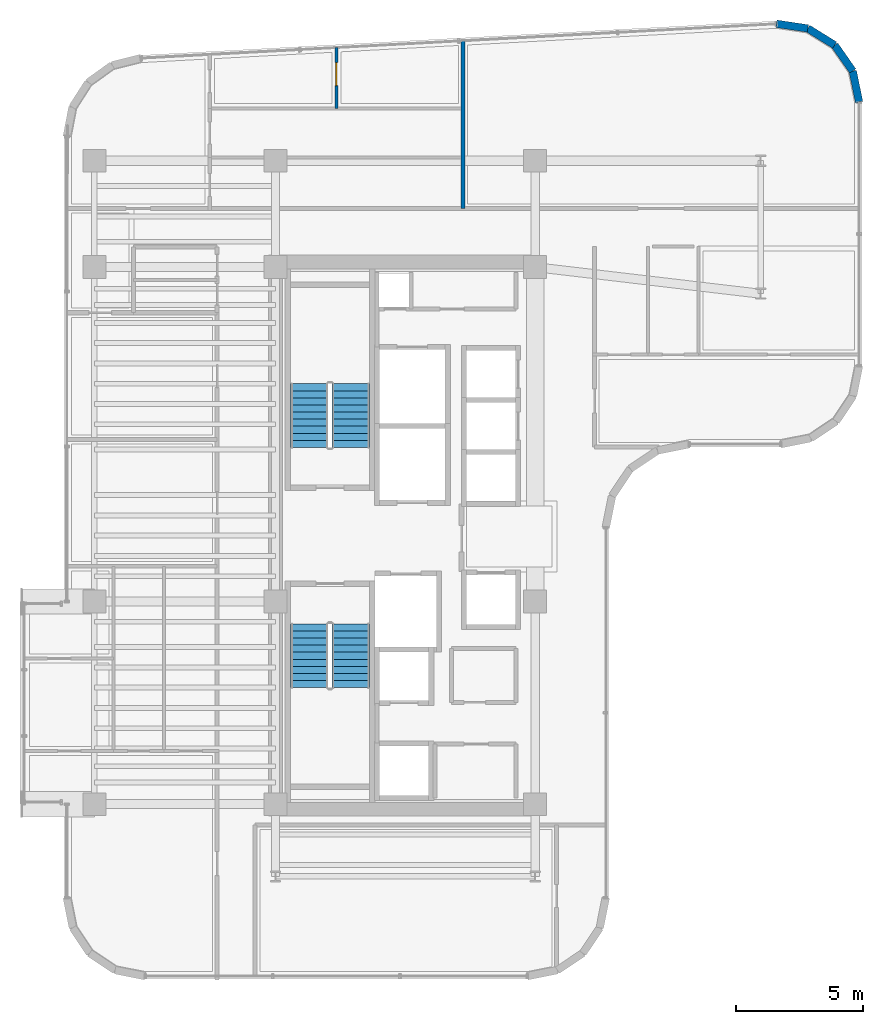
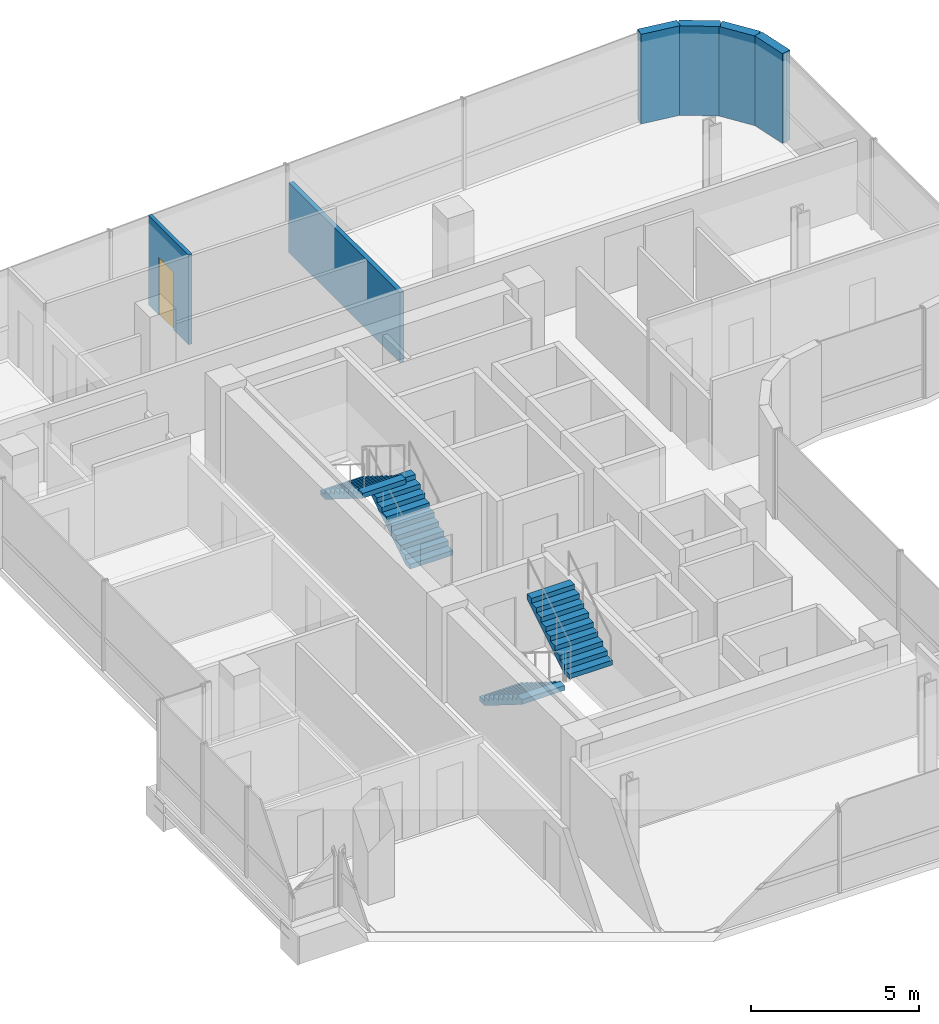
# One storey, part 21 of 24: 6 walls, 4 stair flights, 1 door, 1 opening, 2 elements without a shape of their own.
"""IFC4 building model written with IfcOpenShell, lengths in metres."""

import ifcopenshell
import ifcopenshell.guid

model = None  # the IFC model being written
_history = None  # IfcOwnerHistory: only IFC2X3 demands one
_inside = {}  # id of a spatial element -> (the spatial element, [elements in it])
_under = {}  # id of a project, library or spatial element -> (it, [spatial elements below it])
_declared = {}  # id of a project -> (the project, [libraries it declares])
_typed = {}  # id of a type object -> (the type object, [elements of that type])
_made_of = {}  # id of a material, layer set ... -> (it, [elements and type objects made of it])


def new_model(schema):
    """Start an empty IFC model of exactly this schema.

    Asked for "IFC4X3", IfcOpenShell would pick the latest addendum, in which some entities
    have other attributes; the version numbers below select the first issue.
    IFC2X3 requires an IfcOwnerHistory on every rooted entity: one is made here for all.
    """
    global model, _history
    if schema == "IFC4X3":
        model = ifcopenshell.file(schema_version=(4, 3, 0, 0))
    else:
        model = ifcopenshell.file(schema=schema)
    _inside.clear()
    _under.clear()
    _declared.clear()
    _typed.clear()
    _made_of.clear()
    _history = None
    if model.schema == "IFC2X3":
        org = make("IfcOrganization", Name="unknown")
        user = make(
            "IfcPersonAndOrganization",
            ThePerson=make("IfcPerson", FamilyName="unknown"),
            TheOrganization=org,
        )
        app = make(
            "IfcApplication",
            ApplicationDeveloper=org,
            Version="unknown",
            ApplicationFullName="unknown",
            ApplicationIdentifier="unknown",
        )
        _history = make(
            "IfcOwnerHistory",
            OwningUser=user,
            OwningApplication=app,
            ChangeAction="ADDED",
            CreationDate=0,
        )
    return model


def make(cls, **values):
    """One entity of the class cls with the attributes given. An attribute that is None is left unset."""
    return model.create_entity(
        cls, **{name: value for name, value in values.items() if value is not None}
    )


def rooted(cls, **values):
    """An entity with a GlobalId (a new one), such as an element, a storey or a relation."""
    return make(cls, GlobalId=ifcopenshell.guid.new(), OwnerHistory=_history, **values)


def si_unit(unit_type, name, prefix=None):
    """IfcSIUnit, for example si_unit("LENGTHUNIT", "METRE", prefix="MILLI")."""
    return make("IfcSIUnit", UnitType=unit_type, Prefix=prefix, Name=name)


def assignment(units):
    """IfcUnitAssignment: the units of a project."""
    return None if units is None else make("IfcUnitAssignment", Units=units)


def point(xyz):
    """IfcCartesianPoint."""
    return None if xyz is None else make("IfcCartesianPoint", Coordinates=xyz)


def direction(xyz):
    """IfcDirection."""
    return None if xyz is None else make("IfcDirection", DirectionRatios=xyz)


def frame(location, z_axis=None, x_axis=None):
    """IfcAxis2Placement3D, a coordinate frame: its origin and axes. An axis left out is left unset."""
    return make(
        "IfcAxis2Placement3D",
        Location=point(location),
        Axis=direction(z_axis),
        RefDirection=direction(x_axis),
    )


def frame_2d(location, x_axis=None):
    """IfcAxis2Placement2D, a coordinate frame in the plane: its origin and x axis."""
    return make(
        "IfcAxis2Placement2D", Location=point(location), RefDirection=direction(x_axis)
    )


def origin():
    """The frame at (0, 0, 0) with its axes left unset."""
    return frame((0.0, 0.0, 0.0))


def place(relative_to, where):
    """IfcLocalPlacement: puts the frame where relative to a parent placement (None: the world)."""
    return make(
        "IfcLocalPlacement", PlacementRelTo=relative_to, RelativePlacement=where
    )


def context(
    kind, dimensions, precision=None, world=None, true_north=None, identifier=None
):
    """IfcGeometricRepresentationContext, for example the 3D "Model" context."""
    return make(
        "IfcGeometricRepresentationContext",
        ContextIdentifier=identifier,
        ContextType=kind,
        CoordinateSpaceDimension=dimensions,
        Precision=precision,
        WorldCoordinateSystem=world,
        TrueNorth=true_north,
    )


def subcontext(parent, identifier, kind, view, scale=None):
    """IfcGeometricRepresentationSubContext, for example "Body" below "Model"."""
    return make(
        "IfcGeometricRepresentationSubContext",
        ContextIdentifier=identifier,
        ContextType=kind,
        ParentContext=parent,
        TargetScale=scale,
        TargetView=view,
    )


def project(units=None, contexts=None):
    """IfcProject with its units and contexts."""
    return rooted(
        "IfcProject",
        Name="project",
        RepresentationContexts=contexts,
        UnitsInContext=assignment(units),
    )


def spatial(cls, under=None, at=None, **own):
    """A site, building, storey or space (cls), placed at a placement, below another one or the project."""
    s = rooted(cls, ObjectPlacement=at, **own)
    if under is not None:
        _under.setdefault(under.id(), (under, []))[1].append(s)
    return s


def polyline(points):
    """IfcPolyline through the points."""
    return make("IfcPolyline", Points=[point(p) for p in points])


def profile(cls, at=None, kind="AREA", **sizes):
    """A parametric profile (cls). Its sizes go by their IFC names, for example OverallWidth=200.0."""
    return make(cls, ProfileType=kind, Position=at, **sizes)


def rectangle(**sizes):
    """IfcRectangleProfileDef."""
    return profile("IfcRectangleProfileDef", **sizes)


def outline(outer, holes=None, kind="AREA"):
    """IfcArbitraryClosedProfileDef: a profile drawn as a closed curve; with holes, ...WithVoids."""
    if holes is None:
        return make("IfcArbitraryClosedProfileDef", ProfileType=kind, OuterCurve=outer)
    return make(
        "IfcArbitraryProfileDefWithVoids",
        ProfileType=kind,
        OuterCurve=outer,
        InnerCurves=holes,
    )


def extrude(swept, where, along, depth):
    """IfcExtrudedAreaSolid: the profile swept, set in the frame where, extruded along a direction by depth."""
    return make(
        "IfcExtrudedAreaSolid",
        SweptArea=swept,
        Position=where,
        ExtrudedDirection=direction(along),
        Depth=depth,
    )


def shape(context_of_items, identifier, shape_type, items):
    """IfcShapeRepresentation: the items that make up one representation, for example the "Body"."""
    return make(
        "IfcShapeRepresentation",
        ContextOfItems=context_of_items,
        RepresentationIdentifier=identifier,
        RepresentationType=shape_type,
        Items=items,
    )


def material(Name=None, Category=None):
    """IfcMaterial."""
    return make("IfcMaterial", Name=Name, Category=Category)


def layer(
    of_material, thickness, ventilated=None, Name=None, Category=None, Priority=None
):
    """IfcMaterialLayer: one layer of a wall or slab, of a material (None: an air gap)."""
    return make(
        "IfcMaterialLayer",
        Material=of_material,
        LayerThickness=thickness,
        IsVentilated=ventilated,
        Name=Name,
        Category=Category,
        Priority=Priority,
    )


def layer_set(layers, Name=None):
    """IfcMaterialLayerSet."""
    return make("IfcMaterialLayerSet", MaterialLayers=layers, LayerSetName=Name)


def made_of(thing, what):
    """Note that an element or type object is made of a material, layer set ...; save() writes the relation."""
    if what is not None:
        _made_of.setdefault(what.id(), (what, []))[1].append(thing)
    return thing


def type_object(cls, material=None, **own):
    """A type object (cls), such as IfcWallType, which elements share."""
    return made_of(rooted(cls, **own), material)


def element(
    cls,
    number,
    at=None,
    inside=None,
    cuts=None,
    type_object=None,
    material=None,
    context=None,
    identifier="Body",
    shape_type=None,
    held_by="IfcProductDefinitionShape",
    body=None,
    shapes=None,
    **own,
):
    """One element of the class cls, such as IfcWall. Its Tag is "e" and its number.

    at: its placement. inside: the storey or other place that contains it. cuts: it is an
    opening in that element (IfcRelVoidsElement). A single representation is given by context,
    identifier, shape_type and body (its items); several are given by shapes. held_by: the class
    of the entity that holds the representations. save() writes the other relations.
    """
    e = rooted(cls, Tag="e%d" % number, ObjectPlacement=at, **own)
    if body is not None:
        shapes = [shape(context, identifier, shape_type, body)]
    if shapes is not None:
        e.Representation = make(held_by, Representations=shapes)
    if inside is not None:
        _inside.setdefault(inside.id(), (inside, []))[1].append(e)
    if cuts is not None:
        rooted(
            "IfcRelVoidsElement", RelatingBuildingElement=cuts, RelatedOpeningElement=e
        )
    if type_object is not None:
        _typed.setdefault(type_object.id(), (type_object, []))[1].append(e)
    return made_of(e, material)


def fill(opening, filler):
    """IfcRelFillsElement: the door or window that sits in an opening."""
    return rooted(
        "IfcRelFillsElement",
        RelatingOpeningElement=opening,
        RelatedBuildingElement=filler,
    )


def aggregate(whole, parts):
    """IfcRelAggregates: a whole, such as a stair, and the parts it consists of."""
    return rooted("IfcRelAggregates", RelatingObject=whole, RelatedObjects=parts)


def save(model, path):
    """Write the relations noted so far, then the file.

    IfcRelAggregates (storeys below a building ...), IfcRelContainedInSpatialStructure (elements
    in a storey), IfcRelDefinesByType, IfcRelAssociatesMaterial and IfcRelDeclares: one each for
    every whole, place, type object, material and project.
    """
    for whole, parts in _under.values():
        aggregate(whole, parts)
    for where, things in _inside.values():
        rooted(
            "IfcRelContainedInSpatialStructure",
            RelatedElements=things,
            RelatingStructure=where,
        )
    for kind, things in _typed.values():
        rooted("IfcRelDefinesByType", RelatedObjects=things, RelatingType=kind)
    for what, things in _made_of.values():
        rooted("IfcRelAssociatesMaterial", RelatedObjects=things, RelatingMaterial=what)
    for by, libraries in _declared.values():
        rooted("IfcRelDeclares", RelatingContext=by, RelatedDefinitions=libraries)
    model.write(path)


model = new_model("IFC4")

# Units and contexts
model_context = context("Model", 3, precision=1e-05, world=origin(), true_north=direction((0.0, 1.0)))
body_context = subcontext(model_context, "Body", "Model", "MODEL_VIEW")
ifc_project = project(units=[si_unit("LENGTHUNIT", "METRE"), si_unit("AREAUNIT", "SQUARE_METRE"), si_unit("VOLUMEUNIT", "CUBIC_METRE"), si_unit("PLANEANGLEUNIT", "RADIAN"), si_unit("MASSUNIT", "GRAM", prefix="KILO")], contexts=[model_context])

# Site, building, storey
site_placement = place(None, origin())
site = spatial("IfcSite", under=ifc_project, at=site_placement, CompositionType="ELEMENT")
building_placement = place(site_placement, origin())
building = spatial("IfcBuilding", under=site, at=building_placement, Name="Valdorenza Pilgrim Sanctuary Tower", CompositionType="ELEMENT")
storey_placement = place(building_placement, frame((0.0, 0.0, 205.5)))
storey = spatial("IfcBuildingStorey", under=building, at=storey_placement, Name="L52", CompositionType="ELEMENT", Elevation=205.5)

# Walls
ifc_material_1 = material(Name="Honed travertine limestone", Category="masonry")
ifc_layer_1 = layer(ifc_material_1, 0.300048828125, Name="Honed travertine limestone")
ifc_layer_set_1 = layer_set([ifc_layer_1], Name="Honed travertine limestone")
wall_type_1 = type_object("IfcWallType", Name="WAL-EXT-300", PredefinedType="SOLIDWALL", material=ifc_layer_set_1)
wall_1_placement = place(storey_placement, frame((-2.877685546875, 20.20751953125, 0.0), z_axis=(0.0, 0.0, 1.0), x_axis=(0.988902138571, -0.148568369208, 0.0)))
element("IfcWall", 1, at=wall_1_placement, inside=storey, type_object=wall_type_1, Name="L52 Rounded Wind-Corner Stone Pier 7", PredefinedType="SOLIDWALL", context=body_context, shape_type="SweptSolid", body=[
    extrude(rectangle(XDim=1.257080078125, YDim=0.300048828125, at=frame_2d((0.62841796875, 0.0))), origin(), (0.0, 0.0, 1.0), 3.260009765625),
])
wall_2_placement = place(storey_placement, frame((-1.634521484375, 20.020751953125, 0.0), z_axis=(0.0, 0.0, 1.0), x_axis=(0.849646224094, -0.52735310171, 0.0)))
element("IfcWall", 2, at=wall_2_placement, inside=storey, type_object=wall_type_1, Name="L52 Rounded Wind-Corner Stone Pier 8", PredefinedType="SOLIDWALL", context=body_context, shape_type="SweptSolid", body=[
    extrude(rectangle(XDim=1.245361328125, YDim=0.300048828125, at=frame_2d((0.62255859375, 0.0))), origin(), (0.0, 0.0, 1.0), 3.260009765625),
])
wall_3_placement = place(storey_placement, frame((-0.576416015625, 19.364013671875, 0.0), z_axis=(0.0, 0.0, 1.0), x_axis=(0.572304219931, -0.820041389107, 0.0)))
element("IfcWall", 3, at=wall_3_placement, inside=storey, type_object=wall_type_1, Name="L52 Rounded Wind-Corner Stone Pier 9", PredefinedType="SOLIDWALL", context=body_context, shape_type="SweptSolid", body=[
    extrude(rectangle(XDim=1.24560546875, YDim=0.300048828125, at=frame_2d((0.622802734375, 0.0))), origin(), (0.0, 0.0, 1.0), 3.260009765625),
])
wall_4_placement = place(storey_placement, frame((0.136474609375, 18.342529296875, 0.0), z_axis=(0.0, 0.0, 1.0), x_axis=(0.201603599025, -0.979467196419, 0.0)))
element("IfcWall", 4, at=wall_4_placement, inside=storey, type_object=wall_type_1, Name="L52 Rounded Wind-Corner Stone Pier 10", PredefinedType="SOLIDWALL", context=body_context, shape_type="SweptSolid", body=[
    extrude(rectangle(XDim=1.257080078125, YDim=0.300048828125, at=frame_2d((0.62841796875, 0.0))), origin(), (0.0, 0.0, 1.0), 3.260009765625),
])

# Wall, opening, door
ifc_material_2 = material(Name="Moisture-resistant gypsum partition", Category="gypsum")
ifc_layer_2 = layer(ifc_material_2, 0.1201171875, Name="Moisture-resistant gypsum partition")
ifc_layer_set_2 = layer_set([ifc_layer_2], Name="Moisture-resistant gypsum partition")
wall_type_2 = type_object("IfcWallType", Name="WAL-INT-120", PredefinedType="PARTITIONING", material=ifc_layer_set_2)
wall_5_placement = place(storey_placement, frame((-20.247802734375, 16.8701171875, 0.0), z_axis=(0.0, 0.0, 1.0), x_axis=(0.0, 1.0, 0.0)))
wall_5 = element("IfcWall", 5, at=wall_5_placement, inside=storey, type_object=wall_type_2, Name="L52 North Grand Residence L52-N1 Bedroom 2 Wall", PredefinedType="PARTITIONING", context=body_context, shape_type="SweptSolid", body=[
    extrude(rectangle(XDim=2.39990234375, YDim=0.1201171875, at=frame_2d((1.199951171875, 0.0))), origin(), (0.0, 0.0, 1.0), 3.260009765625),
])
opening_placement = place(wall_5_placement, frame((0.89990234375, 0.0, 0.0)))
opening = element("IfcOpeningElement", 6, at=opening_placement, cuts=wall_5, Name="Opening DR-RM1", PredefinedType="OPENING", context=body_context, shape_type="SweptSolid", body=[
    extrude(rectangle(XDim=0.89990234375, YDim=2.10009765625, at=frame_2d((0.449951171875, 1.050048828125))), frame((0.0, 0.074951171875, 0.0), z_axis=(0.0, -1.0, 0.0), x_axis=(1.0, 0.0, 0.0)), (0.0, 0.0, 1.0), 0.14990234375),
])
ifc_material_3 = material(Name="Solid-core European oak timber", Category="wood")
door_type = type_object("IfcDoorType", Name="DR-ROOM-900", OperationType="NOTDEFINED", PredefinedType="DOOR", material=ifc_material_3)
door_placement = place(opening_placement, origin())
door = element("IfcDoor", 7, at=door_placement, inside=storey, type_object=door_type, Name="L52 North Grand Residence L52-N1 Bedroom 2 Door", OperationType="SINGLE_SWING_RIGHT", OverallHeight=2.10009765625, OverallWidth=0.89990234375, PredefinedType="DOOR", context=body_context, shape_type="SweptSolid", body=[
    extrude(rectangle(XDim=0.89990234375, YDim=2.10009765625, at=frame_2d((0.449951171875, 1.050048828125))), frame((0.0, 0.02490234375, 0.0), z_axis=(0.0, -1.0, 0.0), x_axis=(1.0, 0.0, 0.0)), (0.0, 0.0, 1.0), 0.050048828125),
])
fill(opening, door)

# Wall
ifc_material_4 = material(Name="Acoustic twin-stud gypsum partition", Category="gypsum")
ifc_layer_3 = layer(ifc_material_4, 0.14990234375, Name="Acoustic twin-stud gypsum partition")
ifc_layer_set_3 = layer_set([ifc_layer_3], Name="Acoustic twin-stud gypsum partition")
wall_type_3 = type_object("IfcWallType", Name="WAL-UNT-150", PredefinedType="PARTITIONING", material=ifc_layer_set_3)
wall_6_placement = place(storey_placement, frame((-15.25, 12.919921875, 0.0), z_axis=(0.0, 0.0, 1.0), x_axis=(0.0, 1.0, 0.0)))
element("IfcWall", 8, at=wall_6_placement, inside=storey, type_object=wall_type_3, Name="L52 North Residence Split", PredefinedType="PARTITIONING", context=body_context, shape_type="SweptSolid", body=[
    extrude(rectangle(XDim=6.619873046875, YDim=0.14990234375, at=frame_2d((3.31005859375, 0.0))), origin(), (0.0, 0.0, 1.0), 2.5439453125),
])

# Stair, stair flights
ifc_material_5 = material(Name="Concrete C40/50", Category="concrete")
stair_type = type_object("IfcStairType", Name="STR-DOG-CORE", PredefinedType="HALF_TURN_STAIR", material=ifc_material_5)
stair_1_placement = place(storey_placement, origin())
stair_1 = element("IfcStair", 9, at=stair_1_placement, inside=storey, type_object=stair_type, Name="L52 ST-A1", PredefinedType="HALF_TURN_STAIR")
stair_flight_type = type_object("IfcStairFlightType", Name="STF-RC-1400", PredefinedType="STRAIGHT", material=ifc_material_5)
stair_flight_1_placement = place(storey_placement, frame((-19.679931640625, 3.47998046875, 0.0), z_axis=(0.0, 0.0, 1.0), x_axis=(0.0, 1.0, 0.0)))
stair_flight_1 = element("IfcStairFlight", 10, at=stair_flight_1_placement, type_object=stair_flight_type, Name="ST-A1 flight 1", NumberOfRisers=10, NumberOfTreads=9, PredefinedType="STRAIGHT", RiserHeight=0.175, TreadLength=0.28, context=body_context, shape_type="SweptSolid", body=[
    extrude(outline(polyline([(0.0, 0.0), (0.0, 0.175048828125), (0.280029296875, 0.175048828125), (0.280029296875, 0.35009765625), (0.56005859375, 0.35009765625), (0.56005859375, 0.52490234375), (0.840087890625, 0.52490234375), (0.840087890625, 0.699951171875), (1.1201171875, 0.699951171875), (1.1201171875, 0.875), (1.39990234375, 0.875), (1.39990234375, 1.050048828125), (1.679931640625, 1.050048828125), (1.679931640625, 1.22509765625), (1.9599609375, 1.22509765625), (1.9599609375, 1.39990234375), (2.239990234375, 1.39990234375), (2.239990234375, 1.574951171875), (2.52001953125, 1.574951171875), (2.52001953125, 1.75), (2.52001953125, 1.398193359375), (0.28271484375, 0.0), (0.0, 0.0)])), frame((0.0, 0.739990234375, 0.0), z_axis=(0.0, -1.0, 0.0), x_axis=(1.0, 0.0, 0.0)), (0.0, 0.0, 1.0), 1.47998046875),
])
stair_flight_2_placement = place(storey_placement, frame((-21.31005859375, 6.0, 1.75), z_axis=(0.0, 0.0, 1.0), x_axis=(0.0, -1.0, 0.0)))
stair_flight_2 = element("IfcStairFlight", 11, at=stair_flight_2_placement, type_object=stair_flight_type, Name="ST-A1 flight 2", NumberOfRisers=10, NumberOfTreads=9, PredefinedType="STRAIGHT", RiserHeight=0.175, TreadLength=0.28, context=body_context, shape_type="SweptSolid", body=[
    extrude(outline(polyline([(0.0, 0.0), (0.0, 0.175048828125), (0.280029296875, 0.175048828125), (0.280029296875, 0.35009765625), (0.56005859375, 0.35009765625), (0.56005859375, 0.52490234375), (0.840087890625, 0.52490234375), (0.840087890625, 0.699951171875), (1.1201171875, 0.699951171875), (1.1201171875, 0.875), (1.39990234375, 0.875), (1.39990234375, 1.050048828125), (1.679931640625, 1.050048828125), (1.679931640625, 1.22509765625), (1.9599609375, 1.22509765625), (1.9599609375, 1.39990234375), (2.239990234375, 1.39990234375), (2.239990234375, 1.574951171875), (2.52001953125, 1.574951171875), (2.52001953125, 1.75), (2.52001953125, 1.398193359375), (0.28271484375, 0.0), (0.0, 0.0)])), frame((0.0, 0.739990234375, 0.0), z_axis=(0.0, -1.0, 0.0), x_axis=(1.0, 0.0, 0.0)), (0.0, 0.0, 1.0), 1.47998046875),
])
aggregate(stair_1, [stair_flight_1, stair_flight_2])

stair_2_placement = place(storey_placement, origin())
stair_2 = element("IfcStair", 12, at=stair_2_placement, inside=storey, type_object=stair_type, Name="L52 ST-A2", PredefinedType="HALF_TURN_STAIR")
stair_flight_3_placement = place(storey_placement, frame((-21.31005859375, -3.47998046875, 0.0), z_axis=(0.0, 0.0, 1.0), x_axis=(0.0, -1.0, 0.0)))
stair_flight_3 = element("IfcStairFlight", 13, at=stair_flight_3_placement, type_object=stair_flight_type, Name="ST-A2 flight 1", NumberOfRisers=10, NumberOfTreads=9, PredefinedType="STRAIGHT", RiserHeight=0.175, TreadLength=0.28, context=body_context, shape_type="SweptSolid", body=[
    extrude(outline(polyline([(0.0, 0.0), (0.0, 0.175048828125), (0.280029296875, 0.175048828125), (0.280029296875, 0.35009765625), (0.56005859375, 0.35009765625), (0.56005859375, 0.52490234375), (0.840087890625, 0.52490234375), (0.840087890625, 0.699951171875), (1.1201171875, 0.699951171875), (1.1201171875, 0.875), (1.39990234375, 0.875), (1.39990234375, 1.050048828125), (1.679931640625, 1.050048828125), (1.679931640625, 1.22509765625), (1.9599609375, 1.22509765625), (1.9599609375, 1.39990234375), (2.239990234375, 1.39990234375), (2.239990234375, 1.574951171875), (2.52001953125, 1.574951171875), (2.52001953125, 1.75), (2.52001953125, 1.398193359375), (0.28271484375, 0.0), (0.0, 0.0)])), frame((0.0, 0.739990234375, 0.0), z_axis=(0.0, -1.0, 0.0), x_axis=(1.0, 0.0, 0.0)), (0.0, 0.0, 1.0), 1.47998046875),
])
stair_flight_4_placement = place(storey_placement, frame((-19.679931640625, -6.0, 1.75), z_axis=(0.0, 0.0, 1.0), x_axis=(0.0, 1.0, 0.0)))
stair_flight_4 = element("IfcStairFlight", 14, at=stair_flight_4_placement, type_object=stair_flight_type, Name="ST-A2 flight 2", NumberOfRisers=10, NumberOfTreads=9, PredefinedType="STRAIGHT", RiserHeight=0.175, TreadLength=0.28, context=body_context, shape_type="SweptSolid", body=[
    extrude(outline(polyline([(0.0, 0.0), (0.0, 0.175048828125), (0.280029296875, 0.175048828125), (0.280029296875, 0.35009765625), (0.56005859375, 0.35009765625), (0.56005859375, 0.52490234375), (0.840087890625, 0.52490234375), (0.840087890625, 0.699951171875), (1.1201171875, 0.699951171875), (1.1201171875, 0.875), (1.39990234375, 0.875), (1.39990234375, 1.050048828125), (1.679931640625, 1.050048828125), (1.679931640625, 1.22509765625), (1.9599609375, 1.22509765625), (1.9599609375, 1.39990234375), (2.239990234375, 1.39990234375), (2.239990234375, 1.574951171875), (2.52001953125, 1.574951171875), (2.52001953125, 1.75), (2.52001953125, 1.398193359375), (0.28271484375, 0.0), (0.0, 0.0)])), frame((0.0, 0.739990234375, 0.0), z_axis=(0.0, -1.0, 0.0), x_axis=(1.0, 0.0, 0.0)), (0.0, 0.0, 1.0), 1.47998046875),
])
aggregate(stair_2, [stair_flight_3, stair_flight_4])

save(model, "model.ifc")
